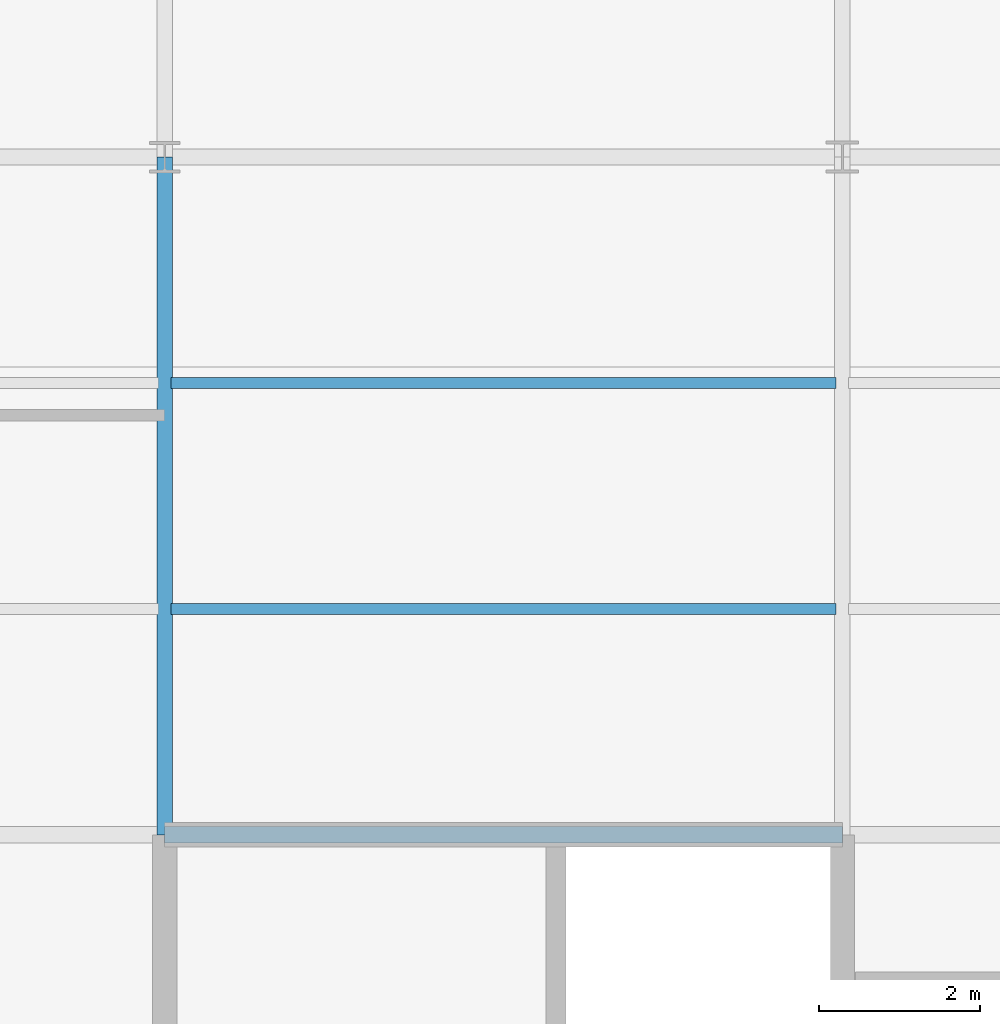
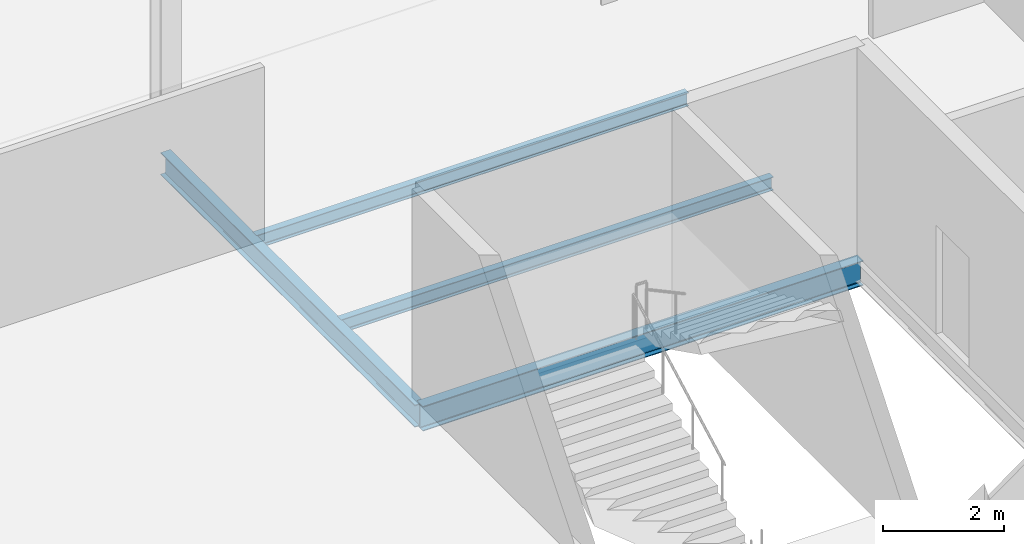
# One storey, part 31 of 163: 4 beams.
"""IFC4 building model written with IfcOpenShell, lengths in metres."""

from ifc_helpers import new_model, si_unit, direction, frame, origin, origin_2d, place, context, subcontext, project, spatial, i_section, extrude, material, material_profile, profile_set, type_object, element, save


model = new_model("IFC4")

# Units and contexts
model_context = context("Model", 3, precision=1e-05, world=origin(), true_north=direction((0.0, 1.0)))
body_context = subcontext(model_context, "Body", "Model", "MODEL_VIEW")
ifc_project = project(units=[si_unit("LENGTHUNIT", "METRE"), si_unit("AREAUNIT", "SQUARE_METRE"), si_unit("VOLUMEUNIT", "CUBIC_METRE"), si_unit("PLANEANGLEUNIT", "RADIAN"), si_unit("MASSUNIT", "GRAM", prefix="KILO")], contexts=[model_context])

# Site, building, storey
site_placement = place(None, origin())
site = spatial("IfcSite", under=ifc_project, at=site_placement, CompositionType="ELEMENT")
building_placement = place(site_placement, origin())
building = spatial("IfcBuilding", under=site, at=building_placement, Name="Qalvenar Corner Mobility Hub", CompositionType="ELEMENT")
storey_placement = place(building_placement, frame((0.0, 0.0, 4.800048828125)))
storey = spatial("IfcBuildingStorey", under=building, at=storey_placement, Name="L01", CompositionType="ELEMENT", Elevation=4.800048828125)

# Beams
ifc_material = material(Name="Steel S355", Category="steel")
ifc_material_profile_1 = material_profile(ifc_material, i_section(OverallWidth=0.18994140625, OverallDepth=0.449951171875, WebThickness=0.009521484375, FlangeThickness=0.0146484375, FilletRadius=0.02099609375, at=origin_2d()), Name="IPE450")
ifc_profile_set_1 = profile_set([ifc_material_profile_1], Name="Steel S355")
beam_type_1 = type_object("IfcBeamType", Name="BM-IPE450", PredefinedType="BEAM", material=ifc_profile_set_1)
beam_1_placement = place(storey_placement, frame((8.39990234375, 16.800048828125, -0.405029296875), z_axis=(0.0, 1.0, 0.0), x_axis=(-1.0, 0.0, 0.0)))
element("IfcBeam", 1, at=beam_1_placement, inside=storey, type_object=beam_type_1, Name="Primary Steel Girder GY-0858", PredefinedType="BEAM", context=body_context, shape_type="SweptSolid", body=[
    extrude(i_section(OverallWidth=0.18994140625, OverallDepth=0.449951171875, WebThickness=0.009521484375, FlangeThickness=0.0146484375, FilletRadius=0.02099609375, at=origin_2d()), origin(), (0.0, 0.0, 1.0), 8.39990234375),
])
ifc_material_profile_2 = material_profile(ifc_material, i_section(OverallWidth=0.199951171875, OverallDepth=0.5, WebThickness=0.01025390625, FlangeThickness=0.01611328125, FilletRadius=0.02099609375, at=origin_2d()), Name="IPE500")
ifc_profile_set_2 = profile_set([ifc_material_profile_2], Name="Steel S355")
beam_type_2 = type_object("IfcBeamType", Name="BM-IPE500", PredefinedType="BEAM", material=ifc_profile_set_2)
beam_2_placement = place(storey_placement, frame((8.39990234375, 16.800048828125, -0.429931640625), z_axis=(1.0, 0.0, 0.0), x_axis=(0.0, 1.0, 0.0)))
element("IfcBeam", 2, at=beam_2_placement, inside=storey, type_object=beam_type_2, Name="Primary Steel Girder GX-0828", PredefinedType="BEAM", context=body_context, shape_type="SweptSolid", body=[
    extrude(i_section(OverallWidth=0.199951171875, OverallDepth=0.5, WebThickness=0.01025390625, FlangeThickness=0.01611328125, FilletRadius=0.02099609375, at=origin_2d()), origin(), (0.0, 0.0, 1.0), 8.400146484375),
])
ifc_material_profile_3 = material_profile(ifc_material, i_section(OverallWidth=0.135009765625, OverallDepth=0.27001953125, WebThickness=0.006591796875, FlangeThickness=0.01025390625, FilletRadius=0.014892578125, at=origin_2d()), Name="IPE270")
ifc_profile_set_3 = profile_set([ifc_material_profile_3], Name="Steel S355")
beam_type_3 = type_object("IfcBeamType", Name="BM-JST270", PredefinedType="JOIST", material=ifc_profile_set_3)
for number, where, z_axis, x_axis, name in (
    (3, (8.47802734375, 19.60009765625, -0.31494140625), (1.0, 0.0, 0.0), (0.0, 1.0, 0.0), "Composite Floor Joist J-0899"),
    (4, (8.47802734375, 22.39990234375, -0.31494140625), (1.0, 0.0, 0.0), (0.0, 1.0, 0.0), "Composite Floor Joist J-0900"),
):
    element("IfcBeam", number, at=place(storey_placement, frame(where, z_axis=z_axis, x_axis=x_axis)), inside=storey, type_object=beam_type_3, Name=name, PredefinedType="JOIST", context=body_context, shape_type="SweptSolid", body=[
        extrude(i_section(OverallWidth=0.135009765625, OverallDepth=0.27001953125, WebThickness=0.006591796875, FlangeThickness=0.01025390625, FilletRadius=0.014892578125, at=origin_2d()), origin(), (0.0, 0.0, 1.0), 8.243896484375),
    ])

save(model, "model.ifc")
